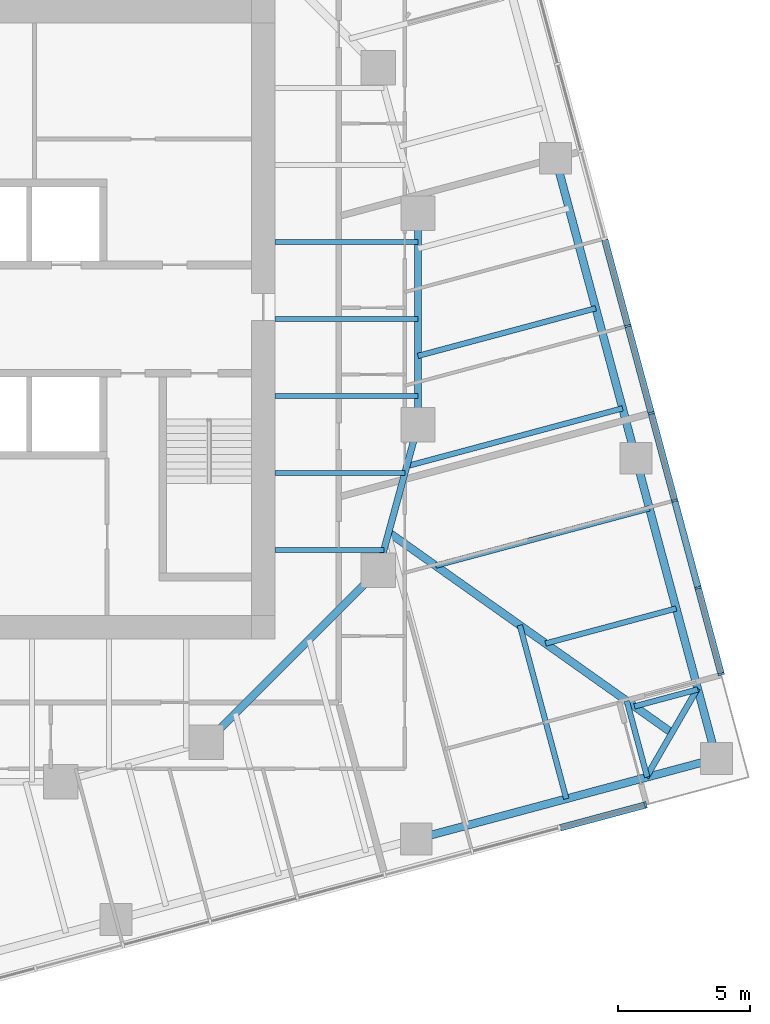
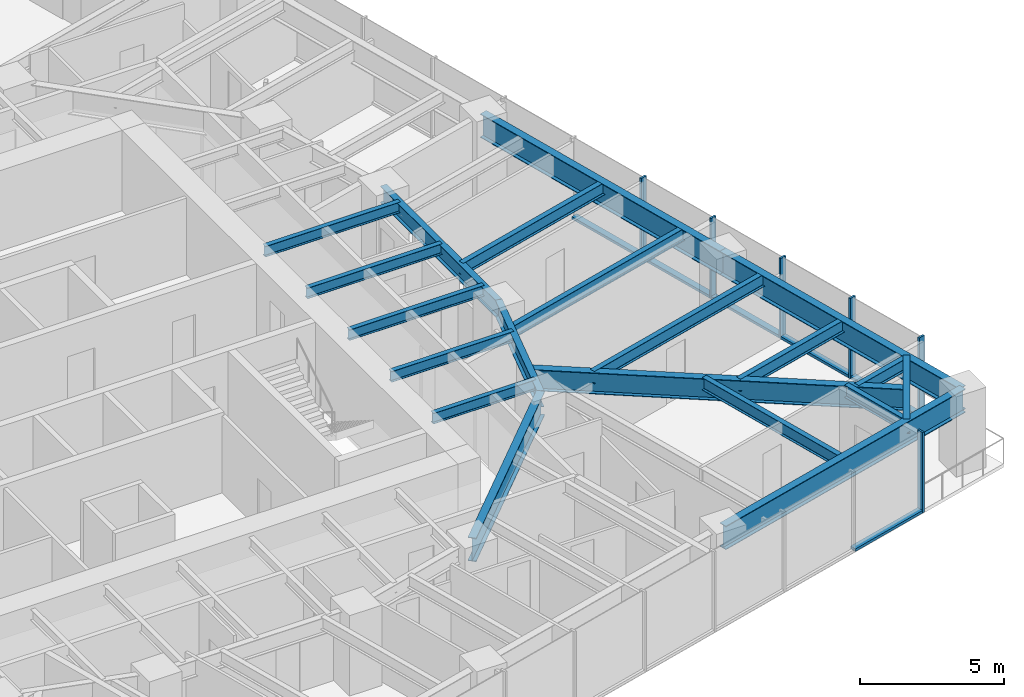
# One storey, part 4 of 14: 20 beams, 12 members, 2 elements without a shape of their own.
"""IFC4 building model written with IfcOpenShell, lengths in metres."""

import ifcopenshell
import ifcopenshell.guid

model = None  # the IFC model being written
_history = None  # IfcOwnerHistory: only IFC2X3 demands one
_inside = {}  # id of a spatial element -> (the spatial element, [elements in it])
_under = {}  # id of a project, library or spatial element -> (it, [spatial elements below it])
_declared = {}  # id of a project -> (the project, [libraries it declares])
_typed = {}  # id of a type object -> (the type object, [elements of that type])
_made_of = {}  # id of a material, layer set ... -> (it, [elements and type objects made of it])


def new_model(schema):
    """Start an empty IFC model of exactly this schema.

    Asked for "IFC4X3", IfcOpenShell would pick the latest addendum, in which some entities
    have other attributes; the version numbers below select the first issue.
    IFC2X3 requires an IfcOwnerHistory on every rooted entity: one is made here for all.
    """
    global model, _history
    if schema == "IFC4X3":
        model = ifcopenshell.file(schema_version=(4, 3, 0, 0))
    else:
        model = ifcopenshell.file(schema=schema)
    _inside.clear()
    _under.clear()
    _declared.clear()
    _typed.clear()
    _made_of.clear()
    _history = None
    if model.schema == "IFC2X3":
        org = make("IfcOrganization", Name="unknown")
        user = make(
            "IfcPersonAndOrganization",
            ThePerson=make("IfcPerson", FamilyName="unknown"),
            TheOrganization=org,
        )
        app = make(
            "IfcApplication",
            ApplicationDeveloper=org,
            Version="unknown",
            ApplicationFullName="unknown",
            ApplicationIdentifier="unknown",
        )
        _history = make(
            "IfcOwnerHistory",
            OwningUser=user,
            OwningApplication=app,
            ChangeAction="ADDED",
            CreationDate=0,
        )
    return model


def make(cls, **values):
    """One entity of the class cls with the attributes given. An attribute that is None is left unset."""
    return model.create_entity(
        cls, **{name: value for name, value in values.items() if value is not None}
    )


def rooted(cls, **values):
    """An entity with a GlobalId (a new one), such as an element, a storey or a relation."""
    return make(cls, GlobalId=ifcopenshell.guid.new(), OwnerHistory=_history, **values)


def si_unit(unit_type, name, prefix=None):
    """IfcSIUnit, for example si_unit("LENGTHUNIT", "METRE", prefix="MILLI")."""
    return make("IfcSIUnit", UnitType=unit_type, Prefix=prefix, Name=name)


def assignment(units):
    """IfcUnitAssignment: the units of a project."""
    return None if units is None else make("IfcUnitAssignment", Units=units)


def point(xyz):
    """IfcCartesianPoint."""
    return None if xyz is None else make("IfcCartesianPoint", Coordinates=xyz)


def direction(xyz):
    """IfcDirection."""
    return None if xyz is None else make("IfcDirection", DirectionRatios=xyz)


def frame(location, z_axis=None, x_axis=None):
    """IfcAxis2Placement3D, a coordinate frame: its origin and axes. An axis left out is left unset."""
    return make(
        "IfcAxis2Placement3D",
        Location=point(location),
        Axis=direction(z_axis),
        RefDirection=direction(x_axis),
    )


def frame_2d(location, x_axis=None):
    """IfcAxis2Placement2D, a coordinate frame in the plane: its origin and x axis."""
    return make(
        "IfcAxis2Placement2D", Location=point(location), RefDirection=direction(x_axis)
    )


def origin():
    """The frame at (0, 0, 0) with its axes left unset."""
    return frame((0.0, 0.0, 0.0))


def origin_2d():
    """The frame at (0, 0) in the plane with its x axis left unset."""
    return frame_2d((0.0, 0.0))


def place(relative_to, where):
    """IfcLocalPlacement: puts the frame where relative to a parent placement (None: the world)."""
    return make(
        "IfcLocalPlacement", PlacementRelTo=relative_to, RelativePlacement=where
    )


def context(
    kind, dimensions, precision=None, world=None, true_north=None, identifier=None
):
    """IfcGeometricRepresentationContext, for example the 3D "Model" context."""
    return make(
        "IfcGeometricRepresentationContext",
        ContextIdentifier=identifier,
        ContextType=kind,
        CoordinateSpaceDimension=dimensions,
        Precision=precision,
        WorldCoordinateSystem=world,
        TrueNorth=true_north,
    )


def subcontext(parent, identifier, kind, view, scale=None):
    """IfcGeometricRepresentationSubContext, for example "Body" below "Model"."""
    return make(
        "IfcGeometricRepresentationSubContext",
        ContextIdentifier=identifier,
        ContextType=kind,
        ParentContext=parent,
        TargetScale=scale,
        TargetView=view,
    )


def project(units=None, contexts=None):
    """IfcProject with its units and contexts."""
    return rooted(
        "IfcProject",
        Name="project",
        RepresentationContexts=contexts,
        UnitsInContext=assignment(units),
    )


def spatial(cls, under=None, at=None, **own):
    """A site, building, storey or space (cls), placed at a placement, below another one or the project."""
    s = rooted(cls, ObjectPlacement=at, **own)
    if under is not None:
        _under.setdefault(under.id(), (under, []))[1].append(s)
    return s


def profile(cls, at=None, kind="AREA", **sizes):
    """A parametric profile (cls). Its sizes go by their IFC names, for example OverallWidth=200.0."""
    return make(cls, ProfileType=kind, Position=at, **sizes)


def rectangle(**sizes):
    """IfcRectangleProfileDef."""
    return profile("IfcRectangleProfileDef", **sizes)


def i_section(**sizes):
    """IfcIShapeProfileDef."""
    return profile("IfcIShapeProfileDef", **sizes)


def extrude(swept, where, along, depth):
    """IfcExtrudedAreaSolid: the profile swept, set in the frame where, extruded along a direction by depth."""
    return make(
        "IfcExtrudedAreaSolid",
        SweptArea=swept,
        Position=where,
        ExtrudedDirection=direction(along),
        Depth=depth,
    )


def shape(context_of_items, identifier, shape_type, items):
    """IfcShapeRepresentation: the items that make up one representation, for example the "Body"."""
    return make(
        "IfcShapeRepresentation",
        ContextOfItems=context_of_items,
        RepresentationIdentifier=identifier,
        RepresentationType=shape_type,
        Items=items,
    )


def material(Name=None, Category=None):
    """IfcMaterial."""
    return make("IfcMaterial", Name=Name, Category=Category)


def material_profile(
    of_material, cross_section, Name=None, Category=None, Priority=None
):
    """IfcMaterialProfile: a cross section and its material."""
    return make(
        "IfcMaterialProfile",
        Name=Name,
        Material=of_material,
        Profile=cross_section,
        Priority=Priority,
        Category=Category,
    )


def profile_set(profiles, Name=None, composite=None):
    """IfcMaterialProfileSet."""
    return make(
        "IfcMaterialProfileSet",
        Name=Name,
        MaterialProfiles=profiles,
        CompositeProfile=composite,
    )


def made_of(thing, what):
    """Note that an element or type object is made of a material, layer set ...; save() writes the relation."""
    if what is not None:
        _made_of.setdefault(what.id(), (what, []))[1].append(thing)
    return thing


def type_object(cls, material=None, **own):
    """A type object (cls), such as IfcWallType, which elements share."""
    return made_of(rooted(cls, **own), material)


def element(
    cls,
    number,
    at=None,
    inside=None,
    cuts=None,
    type_object=None,
    material=None,
    context=None,
    identifier="Body",
    shape_type=None,
    held_by="IfcProductDefinitionShape",
    body=None,
    shapes=None,
    **own,
):
    """One element of the class cls, such as IfcWall. Its Tag is "e" and its number.

    at: its placement. inside: the storey or other place that contains it. cuts: it is an
    opening in that element (IfcRelVoidsElement). A single representation is given by context,
    identifier, shape_type and body (its items); several are given by shapes. held_by: the class
    of the entity that holds the representations. save() writes the other relations.
    """
    e = rooted(cls, Tag="e%d" % number, ObjectPlacement=at, **own)
    if body is not None:
        shapes = [shape(context, identifier, shape_type, body)]
    if shapes is not None:
        e.Representation = make(held_by, Representations=shapes)
    if inside is not None:
        _inside.setdefault(inside.id(), (inside, []))[1].append(e)
    if cuts is not None:
        rooted(
            "IfcRelVoidsElement", RelatingBuildingElement=cuts, RelatedOpeningElement=e
        )
    if type_object is not None:
        _typed.setdefault(type_object.id(), (type_object, []))[1].append(e)
    return made_of(e, material)


def aggregate(whole, parts):
    """IfcRelAggregates: a whole, such as a stair, and the parts it consists of."""
    return rooted("IfcRelAggregates", RelatingObject=whole, RelatedObjects=parts)


def save(model, path):
    """Write the relations noted so far, then the file.

    IfcRelAggregates (storeys below a building ...), IfcRelContainedInSpatialStructure (elements
    in a storey), IfcRelDefinesByType, IfcRelAssociatesMaterial and IfcRelDeclares: one each for
    every whole, place, type object, material and project.
    """
    for whole, parts in _under.values():
        aggregate(whole, parts)
    for where, things in _inside.values():
        rooted(
            "IfcRelContainedInSpatialStructure",
            RelatedElements=things,
            RelatingStructure=where,
        )
    for kind, things in _typed.values():
        rooted("IfcRelDefinesByType", RelatedObjects=things, RelatingType=kind)
    for what, things in _made_of.values():
        rooted("IfcRelAssociatesMaterial", RelatedObjects=things, RelatingMaterial=what)
    for by, libraries in _declared.values():
        rooted("IfcRelDeclares", RelatingContext=by, RelatedDefinitions=libraries)
    model.write(path)


model = new_model("IFC4")

# Units and contexts
model_context = context("Model", 3, precision=1e-05, world=origin(), true_north=direction((0.0, 1.0)))
body_context = subcontext(model_context, "Body", "Model", "MODEL_VIEW")
ifc_project = project(units=[si_unit("LENGTHUNIT", "METRE"), si_unit("AREAUNIT", "SQUARE_METRE"), si_unit("VOLUMEUNIT", "CUBIC_METRE"), si_unit("PLANEANGLEUNIT", "RADIAN"), si_unit("MASSUNIT", "GRAM", prefix="KILO")], contexts=[model_context])

# Site, building, storey
site_placement = place(None, origin())
site = spatial("IfcSite", under=ifc_project, at=site_placement, CompositionType="ELEMENT")
building_placement = place(site_placement, origin())
building = spatial("IfcBuilding", under=site, at=building_placement, Name="Torsade Residences", CompositionType="ELEMENT")
storey_placement = place(building_placement, frame((0.0, 0.0, 111.60009765625)))
storey = spatial("IfcBuildingStorey", under=building, at=storey_placement, Name="L30", CompositionType="ELEMENT", Elevation=111.60009765625)

# Beams
ifc_material_1 = material(Name="Steel grade 300", Category="steel")
ifc_material_profile_1 = material_profile(ifc_material_1, i_section(OverallWidth=0.300048828125, OverallDepth=0.89990234375, WebThickness=0.011962890625, FlangeThickness=0.02490234375, at=origin_2d()), Name="900WB175")
ifc_profile_set_1 = profile_set([ifc_material_profile_1], Name="Steel grade 300")
beam_type_1 = type_object("IfcBeamType", Name="CORNER GIRDER 900WB175", PredefinedType="BEAM", material=ifc_profile_set_1)
beam_1_placement = place(storey_placement, frame((67.097412109375, 14.355224609375, 2.7998046875), z_axis=(-0.816261084801, 0.577683167004, 0.0), x_axis=(-0.577683167004, -0.816261084801, 0.0)))
element("IfcBeam", 1, at=beam_1_placement, inside=storey, type_object=beam_type_1, Name="Corner girder 05 L31", PredefinedType="BEAM", context=body_context, shape_type="SweptSolid", body=[
    extrude(i_section(OverallWidth=0.300048828125, OverallDepth=0.89990234375, WebThickness=0.011962890625, FlangeThickness=0.02490234375, at=origin_2d()), origin(), (0.0, 0.0, 1.0), 13.116943359375),
])
ifc_material_2 = material(Name="Steel grade 300", Category="steel")
ifc_material_profile_2 = material_profile(ifc_material_2, i_section(OverallWidth=0.22802734375, OverallDepth=0.60205078125, WebThickness=0.010498046875, FlangeThickness=0.014892578125, FilletRadius=0.013916015625, at=origin_2d()), Name="610UB101")
ifc_profile_set_2 = profile_set([ifc_material_profile_2], Name="Steel grade 300")
beam_type_2 = type_object("IfcBeamType", Name="CORNER TRIMMER 610UB101", PredefinedType="BEAM", material=ifc_profile_set_2)
beam_2_placement = place(storey_placement, frame((68.06982421875, 16.039306640625, 2.948974609375), z_axis=(-0.499994147244, -0.866028782848, 0.0), x_axis=(0.866028782848, -0.499994147244, 0.0)))
element("IfcBeam", 2, at=beam_2_placement, inside=storey, type_object=beam_type_2, Name="Corner trimmer 05 L31", PredefinedType="BEAM", context=body_context, shape_type="SweptSolid", body=[
    extrude(i_section(OverallWidth=0.22802734375, OverallDepth=0.60205078125, WebThickness=0.010498046875, FlangeThickness=0.014892578125, FilletRadius=0.013916015625, at=origin_2d()), origin(), (0.0, 0.0, 1.0), 3.88916015625),
])
ifc_material_3 = material(Name="Steel grade 300", Category="steel")
ifc_material_profile_3 = material_profile(ifc_material_3, i_section(OverallWidth=0.300048828125, OverallDepth=1.0, WebThickness=0.01611328125, FlangeThickness=0.028076171875, at=origin_2d()), Name="1000WB215")
ifc_profile_set_3 = profile_set([ifc_material_profile_3], Name="Steel grade 300")
beam_type_3 = type_object("IfcBeamType", Name="EDGE BEAM 1000WB215", PredefinedType="SPANDREL", material=ifc_profile_set_3)
for number, where, z_axis, x_axis, name in (
    (3, (57.431884765625, 10.341796875, 2.75), (0.965922824118, 0.258830249097, 0.0), (-0.258830249097, 0.965922824118, 0.0), "Edge beam 04 L31"),
    (4, (68.781494140625, 13.383056640625, 2.75), (-0.258810863021, 0.965928018634, 0.0), (-0.965928018634, -0.258810863021, 0.0), "Edge beam 05 L31"),
    (5, (65.740478515625, 24.732666015625, 2.75), (-0.258830249097, 0.965922824118, 0.0), (-0.965922824118, -0.258830249097, 0.0), "Edge beam 06 L31"),
):
    element("IfcBeam", number, at=place(storey_placement, frame(where, z_axis=z_axis, x_axis=x_axis)), inside=storey, type_object=beam_type_3, Name=name, PredefinedType="SPANDREL", context=body_context, shape_type="SweptSolid", body=[
        extrude(i_section(OverallWidth=0.300048828125, OverallDepth=1.0, WebThickness=0.01611328125, FlangeThickness=0.028076171875, at=origin_2d()), origin(), (0.0, 0.0, 1.0), 11.75),
    ])
ifc_material_4 = material(Name="Steel grade 300", Category="steel")
ifc_material_profile_4 = material_profile(ifc_material_4, i_section(OverallWidth=0.18994140625, OverallDepth=0.4541015625, WebThickness=0.008544921875, FlangeThickness=0.0126953125, FilletRadius=0.011474609375, at=origin_2d()), Name="460UB67.1")
ifc_profile_set_4 = profile_set([ifc_material_profile_4], Name="Steel grade 300")
beam_type_4 = type_object("IfcBeamType", Name="INNER FLOOR BEAM 460UB67.1", PredefinedType="JOIST", material=ifc_profile_set_4)
beam_3_placement = place(storey_placement, frame((52.10009765625, 21.262451171875, 3.02294921875), z_axis=(1.0, 0.0, 0.0), x_axis=(0.0, 1.0, 0.0)))
element("IfcBeam", 6, at=beam_3_placement, inside=storey, type_object=beam_type_4, Name="Inner floor beam IE01 L31", PredefinedType="JOIST", context=body_context, shape_type="SweptSolid", body=[
    extrude(i_section(OverallWidth=0.18994140625, OverallDepth=0.4541015625, WebThickness=0.008544921875, FlangeThickness=0.0126953125, FilletRadius=0.011474609375, at=origin_2d()), origin(), (0.0, 0.0, 1.0), 4.10791015625),
])
beam_4_placement = place(storey_placement, frame((52.10009765625, 24.175048828125, 3.02294921875), z_axis=(1.0, 0.0, 0.0), x_axis=(0.0, 1.0, 0.0)))
element("IfcBeam", 7, at=beam_4_placement, inside=storey, type_object=beam_type_4, Name="Inner floor beam IE02 L31", PredefinedType="JOIST", context=body_context, shape_type="SweptSolid", body=[
    extrude(i_section(OverallWidth=0.18994140625, OverallDepth=0.4541015625, WebThickness=0.008544921875, FlangeThickness=0.0126953125, FilletRadius=0.011474609375, at=origin_2d()), origin(), (0.0, 0.0, 1.0), 4.902099609375),
])
for number, where, z_axis, x_axis, name in (
    (8, (52.10009765625, 27.08740234375, 3.02294921875), (1.0, 0.0, 0.0), (0.0, 1.0, 0.0), "Inner floor beam IE03 L31"),
    (9, (52.10009765625, 30.0, 3.02294921875), (1.0, 0.0, 0.0), (0.0, 1.0, 0.0), "Inner floor beam IE04 L31"),
    (10, (52.10009765625, 32.91259765625, 3.02294921875), (1.0, 0.0, 0.0), (0.0, 1.0, 0.0), "Inner floor beam IE05 L31"),
):
    element("IfcBeam", number, at=place(storey_placement, frame(where, z_axis=z_axis, x_axis=x_axis)), inside=storey, type_object=beam_type_4, Name=name, PredefinedType="JOIST", context=body_context, shape_type="SweptSolid", body=[
        extrude(i_section(OverallWidth=0.18994140625, OverallDepth=0.4541015625, WebThickness=0.008544921875, FlangeThickness=0.0126953125, FilletRadius=0.011474609375, at=origin_2d()), origin(), (0.0, 0.0, 1.0), 5.39990234375),
    ])

# Curtain wall, member
ifc_material_5 = material(Name="Aluminium and glass", Category="aluminium")
curtain_wall_type = type_object("IfcCurtainWallType", Name="FRITTED GLASS CURTAIN WALL MID ZONE", PredefinedType="NOTDEFINED", material=ifc_material_5)
curtain_wall_1_placement = place(storey_placement, origin())
curtain_wall_1 = element("IfcCurtainWall", 11, at=curtain_wall_1_placement, inside=storey, type_object=curtain_wall_type, Name="Curtain wall L30 face 1", PredefinedType="NOTDEFINED")
ifc_material_6 = material(Name="Aluminium mullion", Category="aluminium")
ifc_material_profile_5 = material_profile(ifc_material_6, rectangle(XDim=0.25, YDim=0.080078125, at=origin_2d()), Name="MID ZONE CURTAIN WALL MULLION 250x80")
ifc_profile_set_5 = profile_set([ifc_material_profile_5], Name="Aluminium mullion")
member_type_1 = type_object("IfcMemberType", Name="MID ZONE CURTAIN WALL MULLION 250x80", PredefinedType="MULLION", material=ifc_profile_set_5)
member_1_placement = place(storey_placement, frame((66.10400390625, 11.63037109375, 0.0), z_axis=(0.0, 0.0, 1.0), x_axis=(-0.258819047783, 0.965925825571, 0.0)))
member_1 = element("IfcMember", 12, at=member_1_placement, type_object=member_type_1, Name="Mullion 13", PredefinedType="MULLION", context=body_context, shape_type="SweptSolid", body=[
    extrude(rectangle(XDim=0.25, YDim=0.080078125, at=origin_2d()), origin(), (0.0, 0.0, 1.0), 3.39990234375),
])

# Curtain wall, members
curtain_wall_2_placement = place(storey_placement, origin())
curtain_wall_2 = element("IfcCurtainWall", 13, at=curtain_wall_2_placement, inside=storey, type_object=curtain_wall_type, Name="Curtain wall L30 face 4", PredefinedType="NOTDEFINED")
member_2_placement = place(storey_placement, frame((68.960693359375, 16.578125, 0.0), z_axis=(0.0, 0.0, 1.0), x_axis=(-0.965925825571, -0.258819047783, 0.0)))
member_2 = element("IfcMember", 14, at=member_2_placement, type_object=member_type_1, Name="Mullion 1", PredefinedType="MULLION", context=body_context, shape_type="SweptSolid", body=[
    extrude(rectangle(XDim=0.25, YDim=0.080078125, at=origin_2d()), origin(), (0.0, 0.0, 1.0), 3.39990234375),
])
member_3_placement = place(storey_placement, frame((68.086669921875, 19.83984375, 0.0), z_axis=(0.0, 0.0, 1.0), x_axis=(-0.965925825571, -0.258819047783, 0.0)))
member_3 = element("IfcMember", 15, at=member_3_placement, type_object=member_type_1, Name="Mullion 2", PredefinedType="MULLION", context=body_context, shape_type="SweptSolid", body=[
    extrude(rectangle(XDim=0.25, YDim=0.080078125, at=origin_2d()), origin(), (0.0, 0.0, 1.0), 3.39990234375),
])
member_4_placement = place(storey_placement, frame((67.202392578125, 23.14013671875, 0.0), z_axis=(0.0, 0.0, 1.0), x_axis=(-0.965925825571, -0.258819047783, 0.0)))
member_4 = element("IfcMember", 16, at=member_4_placement, type_object=member_type_1, Name="Mullion 3", PredefinedType="MULLION", context=body_context, shape_type="SweptSolid", body=[
    extrude(rectangle(XDim=0.25, YDim=0.080078125, at=origin_2d()), origin(), (0.0, 0.0, 1.0), 3.39990234375),
])
member_5_placement = place(storey_placement, frame((66.318115234375, 26.4404296875, 0.0), z_axis=(0.0, 0.0, 1.0), x_axis=(-0.965925825571, -0.258819047783, 0.0)))
member_5 = element("IfcMember", 17, at=member_5_placement, type_object=member_type_1, Name="Mullion 4", PredefinedType="MULLION", context=body_context, shape_type="SweptSolid", body=[
    extrude(rectangle(XDim=0.25, YDim=0.080078125, at=origin_2d()), origin(), (0.0, 0.0, 1.0), 3.39990234375),
])
member_6_placement = place(storey_placement, frame((65.433837890625, 29.740478515625, 0.0), z_axis=(0.0, 0.0, 1.0), x_axis=(-0.965925825571, -0.258819047783, 0.0)))
member_6 = element("IfcMember", 18, at=member_6_placement, type_object=member_type_1, Name="Mullion 5", PredefinedType="MULLION", context=body_context, shape_type="SweptSolid", body=[
    extrude(rectangle(XDim=0.25, YDim=0.080078125, at=origin_2d()), origin(), (0.0, 0.0, 1.0), 3.39990234375),
])

# Member
ifc_material_7 = material(Name="Aluminium transom", Category="aluminium")
ifc_material_profile_6 = material_profile(ifc_material_7, rectangle(XDim=0.25, YDim=0.110107421875, at=origin_2d()), Name="MID ZONE CURTAIN WALL TRANSOM 250x110")
ifc_profile_set_6 = profile_set([ifc_material_profile_6], Name="Aluminium transom")
member_type_2 = type_object("IfcMemberType", Name="MID ZONE CURTAIN WALL TRANSOM 250x110", PredefinedType="USERDEFINED", material=ifc_profile_set_6)
member_7_placement = place(storey_placement, frame((62.880859375, 10.7666015625, 0.054931640625), z_axis=(0.965923258633, 0.258828627534, 0.0), x_axis=(-0.258828627534, 0.965923258633, 0.0)))
member_7 = element("IfcMember", 19, at=member_7_placement, type_object=member_type_2, Name="Transom 12.1", ObjectType="TRANSOM", PredefinedType="USERDEFINED", context=body_context, shape_type="SweptSolid", body=[
    extrude(rectangle(XDim=0.25, YDim=0.110107421875, at=origin_2d()), origin(), (0.0, 0.0, 1.0), 3.296630859375),
])

aggregate(curtain_wall_1, [member_1, member_7])

member_8_placement = place(storey_placement, frame((68.9501953125, 16.616943359375, 0.054931640625), z_axis=(-0.258828627534, 0.965923258633, 0.0), x_axis=(-0.965923258633, -0.258828627534, 0.0)))
member_8 = element("IfcMember", 20, at=member_8_placement, type_object=member_type_2, Name="Transom 1.1", ObjectType="TRANSOM", PredefinedType="USERDEFINED", context=body_context, shape_type="SweptSolid", body=[
    extrude(rectangle(XDim=0.25, YDim=0.110107421875, at=origin_2d()), origin(), (0.0, 0.0, 1.0), 3.296630859375),
])

member_9_placement = place(storey_placement, frame((68.076416015625, 19.87841796875, 0.054931640625), z_axis=(-0.258855549498, 0.965916044226, 0.0), x_axis=(-0.965916044226, -0.258855549498, 0.0)))
member_9 = element("IfcMember", 21, at=member_9_placement, type_object=member_type_2, Name="Transom 2.1", ObjectType="TRANSOM", PredefinedType="USERDEFINED", context=body_context, shape_type="SweptSolid", body=[
    extrude(rectangle(XDim=0.25, YDim=0.110107421875, at=origin_2d()), origin(), (0.0, 0.0, 1.0), 3.3369140625),
])

member_10_placement = place(storey_placement, frame((67.192138671875, 23.1787109375, 0.054931640625), z_axis=(-0.258873844232, 0.96591114124, 0.0), x_axis=(-0.96591114124, -0.258873844232, 0.0)))
member_10 = element("IfcMember", 22, at=member_10_placement, type_object=member_type_2, Name="Transom 3.1", ObjectType="TRANSOM", PredefinedType="USERDEFINED", context=body_context, shape_type="SweptSolid", body=[
    extrude(rectangle(XDim=0.25, YDim=0.110107421875, at=origin_2d()), origin(), (0.0, 0.0, 1.0), 3.336669921875),
])

member_11_placement = place(storey_placement, frame((66.3076171875, 26.47900390625, 0.054931640625), z_axis=(-0.258805576255, 0.965929435155, 0.0), x_axis=(-0.965929435155, -0.258805576255, 0.0)))
member_11 = element("IfcMember", 23, at=member_11_placement, type_object=member_type_2, Name="Transom 4.1", ObjectType="TRANSOM", PredefinedType="USERDEFINED", context=body_context, shape_type="SweptSolid", body=[
    extrude(rectangle(XDim=0.25, YDim=0.110107421875, at=origin_2d()), origin(), (0.0, 0.0, 1.0), 3.336669921875),
])

member_12_placement = place(storey_placement, frame((65.42333984375, 29.779296875, 0.054931640625), z_axis=(-0.258805576255, 0.965929435155, 0.0), x_axis=(-0.965929435155, -0.258805576255, 0.0)))
member_12 = element("IfcMember", 24, at=member_12_placement, type_object=member_type_2, Name="Transom 5.1", ObjectType="TRANSOM", PredefinedType="USERDEFINED", context=body_context, shape_type="SweptSolid", body=[
    extrude(rectangle(XDim=0.25, YDim=0.110107421875, at=origin_2d()), origin(), (0.0, 0.0, 1.0), 3.336669921875),
])

aggregate(curtain_wall_2, [member_2, member_3, member_4, member_5, member_6, member_8, member_9, member_10, member_11, member_12])

# Beams
ifc_material_8 = material(Name="Steel grade 300", Category="steel")
ifc_material_profile_7 = material_profile(ifc_material_8, i_section(OverallWidth=0.300048828125, OverallDepth=1.0, WebThickness=0.01611328125, FlangeThickness=0.028076171875, at=origin_2d()), Name="1000WB215")
ifc_profile_set_7 = profile_set([ifc_material_profile_7], Name="Steel grade 300")
beam_type_5 = type_object("IfcBeamType", Name="RING CORNER GIRDER 1000WB215", PredefinedType="BEAM", material=ifc_profile_set_7)
beam_5_placement = place(storey_placement, frame((49.5, 14.0, 2.75), z_axis=(0.707106781187, 0.707106781187, 0.0), x_axis=(-0.707106781187, 0.707106781187, 0.0)))
element("IfcBeam", 25, at=beam_5_placement, inside=storey, type_object=beam_type_5, Name="Ring girder IR15 L31", PredefinedType="BEAM", context=body_context, shape_type="SweptSolid", body=[
    extrude(i_section(OverallWidth=0.300048828125, OverallDepth=1.0, WebThickness=0.01611328125, FlangeThickness=0.028076171875, at=origin_2d()), origin(), (0.0, 0.0, 1.0), 9.1923828125),
])
ifc_material_9 = material(Name="Steel grade 300", Category="steel")
ifc_material_profile_8 = material_profile(ifc_material_9, i_section(OverallWidth=0.25, OverallDepth=0.699951171875, WebThickness=0.010009765625, FlangeThickness=0.02001953125, at=origin_2d()), Name="700WB130")
ifc_profile_set_8 = profile_set([ifc_material_profile_8], Name="Steel grade 300")
beam_type_6 = type_object("IfcBeamType", Name="RING GIRDER 700WB130", PredefinedType="BEAM", material=ifc_profile_set_8)
beam_6_placement = place(storey_placement, frame((57.5, 26.0, 2.89990234375), z_axis=(0.0, 1.0, 0.0), x_axis=(-1.0, 0.0, 0.0)))
element("IfcBeam", 26, at=beam_6_placement, inside=storey, type_object=beam_type_6, Name="Ring girder IR01 L31", PredefinedType="BEAM", context=body_context, shape_type="SweptSolid", body=[
    extrude(i_section(OverallWidth=0.25, OverallDepth=0.699951171875, WebThickness=0.010009765625, FlangeThickness=0.02001953125, at=origin_2d()), origin(), (0.0, 0.0, 1.0), 8.0),
])
beam_7_placement = place(storey_placement, frame((56.0, 20.5, 2.89990234375), z_axis=(0.263117405792, 0.964763821238, 0.0), x_axis=(-0.964763821238, 0.263117405792, 0.0)))
element("IfcBeam", 27, at=beam_7_placement, inside=storey, type_object=beam_type_6, Name="Ring girder IR16 L31", PredefinedType="BEAM", context=body_context, shape_type="SweptSolid", body=[
    extrude(i_section(OverallWidth=0.25, OverallDepth=0.699951171875, WebThickness=0.010009765625, FlangeThickness=0.02001953125, at=origin_2d()), origin(), (0.0, 0.0, 1.0), 5.700927734375),
])
ifc_material_10 = material(Name="Steel grade 300", Category="steel")
ifc_material_profile_9 = material_profile(ifc_material_10, i_section(OverallWidth=0.208984375, OverallDepth=0.528076171875, WebThickness=0.009521484375, FlangeThickness=0.01318359375, FilletRadius=0.013916015625, at=origin_2d()), Name="530UB82.0")
ifc_profile_set_9 = profile_set([ifc_material_profile_9], Name="Steel grade 300")
beam_type_7 = type_object("IfcBeamType", Name="SECONDARY BEAM 530UB82.0", PredefinedType="JOIST", material=ifc_profile_set_9)
beam_8_placement = place(storey_placement, frame((63.106689453125, 11.862548828125, 2.98583984375), z_axis=(-0.258814533235, 0.965927035229, 0.0), x_axis=(-0.965927035229, -0.258814533235, 0.0)))
element("IfcBeam", 28, at=beam_8_placement, inside=storey, type_object=beam_type_7, Name="Floor beam FS11 L31", PredefinedType="JOIST", context=body_context, shape_type="SweptSolid", body=[
    extrude(i_section(OverallWidth=0.208984375, OverallDepth=0.528076171875, WebThickness=0.009521484375, FlangeThickness=0.01318359375, FilletRadius=0.013916015625, at=origin_2d()), origin(), (0.0, 0.0, 1.0), 6.792724609375),
])
beam_9_placement = place(storey_placement, frame((66.16552734375, 12.68212890625, 2.98583984375), z_axis=(-0.258865750242, 0.965913310475, 0.0), x_axis=(-0.965913310475, -0.258865750242, 0.0)))
element("IfcBeam", 29, at=beam_9_placement, inside=storey, type_object=beam_type_7, Name="Floor beam FS12 L31", PredefinedType="JOIST", context=body_context, shape_type="SweptSolid", body=[
    extrude(i_section(OverallWidth=0.208984375, OverallDepth=0.528076171875, WebThickness=0.009521484375, FlangeThickness=0.01318359375, FilletRadius=0.013916015625, at=origin_2d()), origin(), (0.0, 0.0, 1.0), 2.980224609375),
])
beam_10_placement = place(storey_placement, frame((68.08056640625, 15.9990234375, 2.98583984375), z_axis=(-0.965920834438, -0.258837674225, 0.0), x_axis=(0.258837674225, -0.965920834438, 0.0)))
element("IfcBeam", 30, at=beam_10_placement, inside=storey, type_object=beam_type_7, Name="Floor beam FE01 L31", PredefinedType="JOIST", context=body_context, shape_type="SweptSolid", body=[
    extrude(i_section(OverallWidth=0.208984375, OverallDepth=0.528076171875, WebThickness=0.009521484375, FlangeThickness=0.01318359375, FilletRadius=0.013916015625, at=origin_2d()), origin(), (0.0, 0.0, 1.0), 2.482666015625),
])
beam_11_placement = place(storey_placement, frame((67.260986328125, 19.057861328125, 2.98583984375), z_axis=(-0.965926736728, -0.258815647274, 0.0), x_axis=(0.258815647274, -0.965926736728, 0.0)))
element("IfcBeam", 31, at=beam_11_placement, inside=storey, type_object=beam_type_7, Name="Floor beam FE02 L31", PredefinedType="JOIST", context=body_context, shape_type="SweptSolid", body=[
    extrude(i_section(OverallWidth=0.208984375, OverallDepth=0.528076171875, WebThickness=0.009521484375, FlangeThickness=0.01318359375, FilletRadius=0.013916015625, at=origin_2d()), origin(), (0.0, 0.0, 1.0), 5.11279296875),
])
beam_12_placement = place(storey_placement, frame((66.247314453125, 22.841064453125, 2.98583984375), z_axis=(-0.965924734258, -0.258823120582, 0.0), x_axis=(0.258823120582, -0.965924734258, 0.0)))
element("IfcBeam", 32, at=beam_12_placement, inside=storey, type_object=beam_type_7, Name="Floor beam FE03 L31", PredefinedType="JOIST", context=body_context, shape_type="SweptSolid", body=[
    extrude(i_section(OverallWidth=0.208984375, OverallDepth=0.528076171875, WebThickness=0.009521484375, FlangeThickness=0.01318359375, FilletRadius=0.013916015625, at=origin_2d()), origin(), (0.0, 0.0, 1.0), 8.365966796875),
])
beam_13_placement = place(storey_placement, frame((65.233642578125, 26.624267578125, 2.98583984375), z_axis=(-0.965928701223, -0.258808315464, 0.0), x_axis=(0.258808315464, -0.965928701223, 0.0)))
element("IfcBeam", 33, at=beam_13_placement, inside=storey, type_object=beam_type_7, Name="Floor beam FE04 L31", PredefinedType="JOIST", context=body_context, shape_type="SweptSolid", body=[
    extrude(i_section(OverallWidth=0.208984375, OverallDepth=0.528076171875, WebThickness=0.009521484375, FlangeThickness=0.01318359375, FilletRadius=0.013916015625, at=origin_2d()), origin(), (0.0, 0.0, 1.0), 8.447509765625),
])
beam_14_placement = place(storey_placement, frame((64.2197265625, 30.407470703125, 2.98583984375), z_axis=(-0.965926120836, -0.258817945835, 0.0), x_axis=(0.258817945835, -0.965926120836, 0.0)))
element("IfcBeam", 34, at=beam_14_placement, inside=storey, type_object=beam_type_7, Name="Floor beam FE05 L31", PredefinedType="JOIST", context=body_context, shape_type="SweptSolid", body=[
    extrude(i_section(OverallWidth=0.208984375, OverallDepth=0.528076171875, WebThickness=0.009521484375, FlangeThickness=0.01318359375, FilletRadius=0.013916015625, at=origin_2d()), origin(), (0.0, 0.0, 1.0), 6.956787109375),
])

save(model, "model.ifc")
